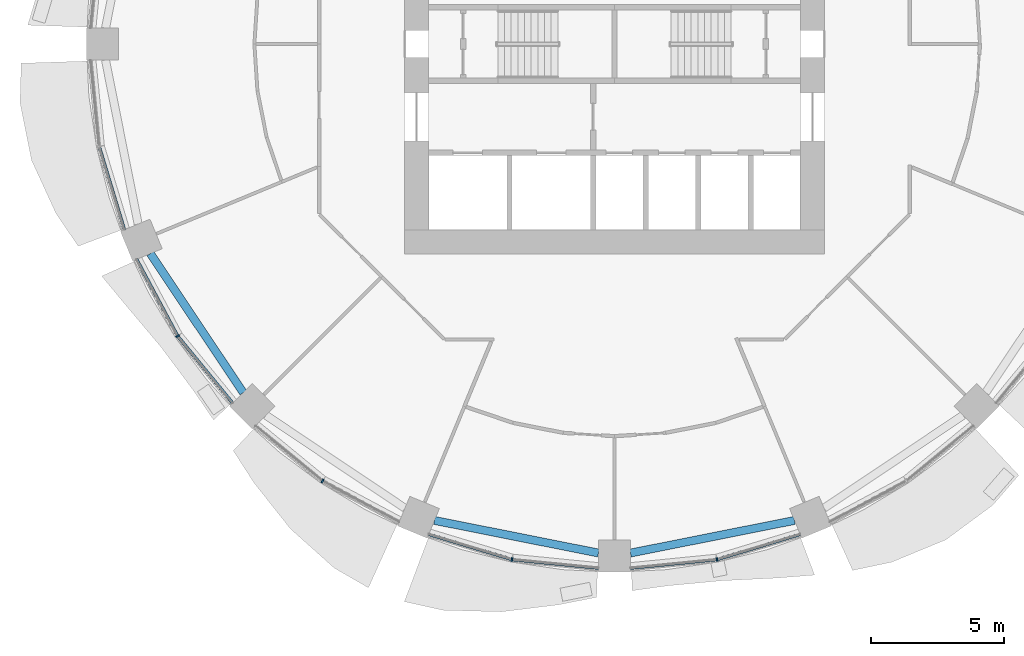
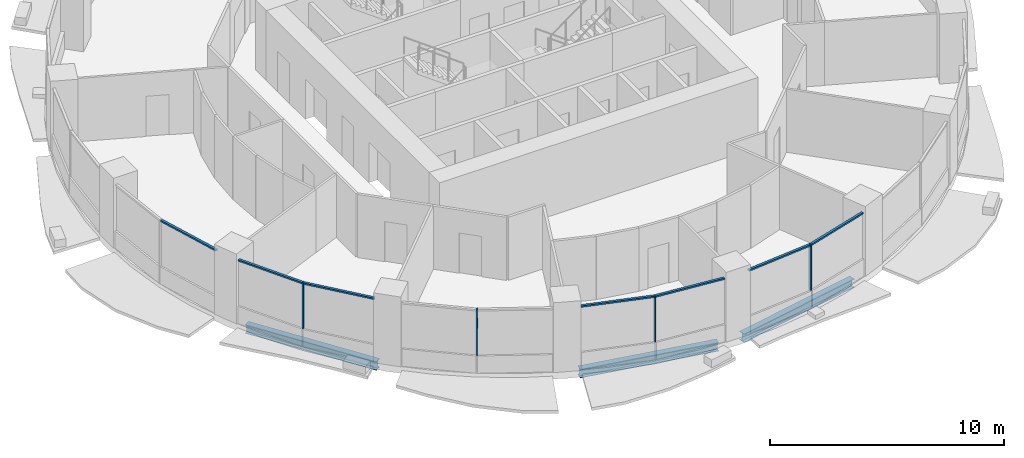
# One storey, part 2 of 15: 11 members, 3 beams, 5 elements without a shape of their own.
"""IFC4 building model written with IfcOpenShell, lengths in metres."""

import ifcopenshell
import ifcopenshell.guid

model = None  # the IFC model being written
_history = None  # IfcOwnerHistory: only IFC2X3 demands one
_inside = {}  # id of a spatial element -> (the spatial element, [elements in it])
_under = {}  # id of a project, library or spatial element -> (it, [spatial elements below it])
_declared = {}  # id of a project -> (the project, [libraries it declares])
_typed = {}  # id of a type object -> (the type object, [elements of that type])
_made_of = {}  # id of a material, layer set ... -> (it, [elements and type objects made of it])


def new_model(schema):
    """Start an empty IFC model of exactly this schema.

    Asked for "IFC4X3", IfcOpenShell would pick the latest addendum, in which some entities
    have other attributes; the version numbers below select the first issue.
    IFC2X3 requires an IfcOwnerHistory on every rooted entity: one is made here for all.
    """
    global model, _history
    if schema == "IFC4X3":
        model = ifcopenshell.file(schema_version=(4, 3, 0, 0))
    else:
        model = ifcopenshell.file(schema=schema)
    _inside.clear()
    _under.clear()
    _declared.clear()
    _typed.clear()
    _made_of.clear()
    _history = None
    if model.schema == "IFC2X3":
        org = make("IfcOrganization", Name="unknown")
        user = make(
            "IfcPersonAndOrganization",
            ThePerson=make("IfcPerson", FamilyName="unknown"),
            TheOrganization=org,
        )
        app = make(
            "IfcApplication",
            ApplicationDeveloper=org,
            Version="unknown",
            ApplicationFullName="unknown",
            ApplicationIdentifier="unknown",
        )
        _history = make(
            "IfcOwnerHistory",
            OwningUser=user,
            OwningApplication=app,
            ChangeAction="ADDED",
            CreationDate=0,
        )
    return model


def make(cls, **values):
    """One entity of the class cls with the attributes given. An attribute that is None is left unset."""
    return model.create_entity(
        cls, **{name: value for name, value in values.items() if value is not None}
    )


def rooted(cls, **values):
    """An entity with a GlobalId (a new one), such as an element, a storey or a relation."""
    return make(cls, GlobalId=ifcopenshell.guid.new(), OwnerHistory=_history, **values)


def si_unit(unit_type, name, prefix=None):
    """IfcSIUnit, for example si_unit("LENGTHUNIT", "METRE", prefix="MILLI")."""
    return make("IfcSIUnit", UnitType=unit_type, Prefix=prefix, Name=name)


def assignment(units):
    """IfcUnitAssignment: the units of a project."""
    return None if units is None else make("IfcUnitAssignment", Units=units)


def point(xyz):
    """IfcCartesianPoint."""
    return None if xyz is None else make("IfcCartesianPoint", Coordinates=xyz)


def direction(xyz):
    """IfcDirection."""
    return None if xyz is None else make("IfcDirection", DirectionRatios=xyz)


def frame(location, z_axis=None, x_axis=None):
    """IfcAxis2Placement3D, a coordinate frame: its origin and axes. An axis left out is left unset."""
    return make(
        "IfcAxis2Placement3D",
        Location=point(location),
        Axis=direction(z_axis),
        RefDirection=direction(x_axis),
    )


def frame_2d(location, x_axis=None):
    """IfcAxis2Placement2D, a coordinate frame in the plane: its origin and x axis."""
    return make(
        "IfcAxis2Placement2D", Location=point(location), RefDirection=direction(x_axis)
    )


def origin():
    """The frame at (0, 0, 0) with its axes left unset."""
    return frame((0.0, 0.0, 0.0))


def origin_2d():
    """The frame at (0, 0) in the plane with its x axis left unset."""
    return frame_2d((0.0, 0.0))


def place(relative_to, where):
    """IfcLocalPlacement: puts the frame where relative to a parent placement (None: the world)."""
    return make(
        "IfcLocalPlacement", PlacementRelTo=relative_to, RelativePlacement=where
    )


def context(
    kind, dimensions, precision=None, world=None, true_north=None, identifier=None
):
    """IfcGeometricRepresentationContext, for example the 3D "Model" context."""
    return make(
        "IfcGeometricRepresentationContext",
        ContextIdentifier=identifier,
        ContextType=kind,
        CoordinateSpaceDimension=dimensions,
        Precision=precision,
        WorldCoordinateSystem=world,
        TrueNorth=true_north,
    )


def subcontext(parent, identifier, kind, view, scale=None):
    """IfcGeometricRepresentationSubContext, for example "Body" below "Model"."""
    return make(
        "IfcGeometricRepresentationSubContext",
        ContextIdentifier=identifier,
        ContextType=kind,
        ParentContext=parent,
        TargetScale=scale,
        TargetView=view,
    )


def project(units=None, contexts=None):
    """IfcProject with its units and contexts."""
    return rooted(
        "IfcProject",
        Name="project",
        RepresentationContexts=contexts,
        UnitsInContext=assignment(units),
    )


def spatial(cls, under=None, at=None, **own):
    """A site, building, storey or space (cls), placed at a placement, below another one or the project."""
    s = rooted(cls, ObjectPlacement=at, **own)
    if under is not None:
        _under.setdefault(under.id(), (under, []))[1].append(s)
    return s


def profile(cls, at=None, kind="AREA", **sizes):
    """A parametric profile (cls). Its sizes go by their IFC names, for example OverallWidth=200.0."""
    return make(cls, ProfileType=kind, Position=at, **sizes)


def rectangle(**sizes):
    """IfcRectangleProfileDef."""
    return profile("IfcRectangleProfileDef", **sizes)


def i_section(**sizes):
    """IfcIShapeProfileDef."""
    return profile("IfcIShapeProfileDef", **sizes)


def extrude(swept, where, along, depth):
    """IfcExtrudedAreaSolid: the profile swept, set in the frame where, extruded along a direction by depth."""
    return make(
        "IfcExtrudedAreaSolid",
        SweptArea=swept,
        Position=where,
        ExtrudedDirection=direction(along),
        Depth=depth,
    )


def shape(context_of_items, identifier, shape_type, items):
    """IfcShapeRepresentation: the items that make up one representation, for example the "Body"."""
    return make(
        "IfcShapeRepresentation",
        ContextOfItems=context_of_items,
        RepresentationIdentifier=identifier,
        RepresentationType=shape_type,
        Items=items,
    )


def material(Name=None, Category=None):
    """IfcMaterial."""
    return make("IfcMaterial", Name=Name, Category=Category)


def material_profile(
    of_material, cross_section, Name=None, Category=None, Priority=None
):
    """IfcMaterialProfile: a cross section and its material."""
    return make(
        "IfcMaterialProfile",
        Name=Name,
        Material=of_material,
        Profile=cross_section,
        Priority=Priority,
        Category=Category,
    )


def profile_set(profiles, Name=None, composite=None):
    """IfcMaterialProfileSet."""
    return make(
        "IfcMaterialProfileSet",
        Name=Name,
        MaterialProfiles=profiles,
        CompositeProfile=composite,
    )


def made_of(thing, what):
    """Note that an element or type object is made of a material, layer set ...; save() writes the relation."""
    if what is not None:
        _made_of.setdefault(what.id(), (what, []))[1].append(thing)
    return thing


def type_object(cls, material=None, **own):
    """A type object (cls), such as IfcWallType, which elements share."""
    return made_of(rooted(cls, **own), material)


def element(
    cls,
    number,
    at=None,
    inside=None,
    cuts=None,
    type_object=None,
    material=None,
    context=None,
    identifier="Body",
    shape_type=None,
    held_by="IfcProductDefinitionShape",
    body=None,
    shapes=None,
    **own,
):
    """One element of the class cls, such as IfcWall. Its Tag is "e" and its number.

    at: its placement. inside: the storey or other place that contains it. cuts: it is an
    opening in that element (IfcRelVoidsElement). A single representation is given by context,
    identifier, shape_type and body (its items); several are given by shapes. held_by: the class
    of the entity that holds the representations. save() writes the other relations.
    """
    e = rooted(cls, Tag="e%d" % number, ObjectPlacement=at, **own)
    if body is not None:
        shapes = [shape(context, identifier, shape_type, body)]
    if shapes is not None:
        e.Representation = make(held_by, Representations=shapes)
    if inside is not None:
        _inside.setdefault(inside.id(), (inside, []))[1].append(e)
    if cuts is not None:
        rooted(
            "IfcRelVoidsElement", RelatingBuildingElement=cuts, RelatedOpeningElement=e
        )
    if type_object is not None:
        _typed.setdefault(type_object.id(), (type_object, []))[1].append(e)
    return made_of(e, material)


def aggregate(whole, parts):
    """IfcRelAggregates: a whole, such as a stair, and the parts it consists of."""
    return rooted("IfcRelAggregates", RelatingObject=whole, RelatedObjects=parts)


def save(model, path):
    """Write the relations noted so far, then the file.

    IfcRelAggregates (storeys below a building ...), IfcRelContainedInSpatialStructure (elements
    in a storey), IfcRelDefinesByType, IfcRelAssociatesMaterial and IfcRelDeclares: one each for
    every whole, place, type object, material and project.
    """
    for whole, parts in _under.values():
        aggregate(whole, parts)
    for where, things in _inside.values():
        rooted(
            "IfcRelContainedInSpatialStructure",
            RelatedElements=things,
            RelatingStructure=where,
        )
    for kind, things in _typed.values():
        rooted("IfcRelDefinesByType", RelatedObjects=things, RelatingType=kind)
    for what, things in _made_of.values():
        rooted("IfcRelAssociatesMaterial", RelatedObjects=things, RelatingMaterial=what)
    for by, libraries in _declared.values():
        rooted("IfcRelDeclares", RelatingContext=by, RelatedDefinitions=libraries)
    model.write(path)


model = new_model("IFC4")

# Units and contexts
model_context = context("Model", 3, precision=1e-05, world=origin(), true_north=direction((0.0, 1.0)))
body_context = subcontext(model_context, "Body", "Model", "MODEL_VIEW")
ifc_project = project(units=[si_unit("LENGTHUNIT", "METRE"), si_unit("AREAUNIT", "SQUARE_METRE"), si_unit("VOLUMEUNIT", "CUBIC_METRE"), si_unit("PLANEANGLEUNIT", "RADIAN"), si_unit("MASSUNIT", "GRAM", prefix="KILO")], contexts=[model_context])

# Site, building, storey
site_placement = place(None, origin())
site = spatial("IfcSite", under=ifc_project, at=site_placement, CompositionType="ELEMENT")
building_placement = place(site_placement, origin())
building = spatial("IfcBuilding", under=site, at=building_placement, Name="Polderwave Tower", CompositionType="ELEMENT")
storey_placement = place(building_placement, frame((0.0, 0.0, 33.5)))
storey = spatial("IfcBuildingStorey", under=building, at=storey_placement, Name="L08", CompositionType="ELEMENT", Elevation=33.5)

# Curtain wall, member
ifc_material_1 = material(Name="Aluminium 6063-T6 and glass", Category="aluminium")
curtain_wall_type = type_object("IfcCurtainWallType", Name="Growing floor ribbon glazing wall", PredefinedType="NOTDEFINED", material=ifc_material_1)
curtain_wall_1_placement = place(storey_placement, origin())
curtain_wall_1 = element("IfcCurtainWall", 1, at=curtain_wall_1_placement, inside=storey, type_object=curtain_wall_type, Name="CW2 L08 09", PredefinedType="NOTDEFINED")
ifc_material_2 = material(Name="Aluminium 6063-T6", Category="aluminium")
ifc_material_profile_1 = material_profile(ifc_material_2, rectangle(XDim=0.14990234375, YDim=0.06005859375, at=origin_2d()), Name="AL 60x150")
ifc_profile_set_1 = profile_set([ifc_material_profile_1], Name="Aluminium 6063-T6")
member_type_1 = type_object("IfcMemberType", Name="Growing floor ribbon glazing mullion 60x150", PredefinedType="MULLION", material=ifc_profile_set_1)
member_1_placement = place(storey_placement, frame((-16.3798828125, -10.945068359375, 0.89990234375), z_axis=(0.0, 0.0, 1.0), x_axis=(0.831436642637, 0.555619572441, 0.0)))
member_1 = element("IfcMember", 2, at=member_1_placement, type_object=member_type_1, Name="CW2 mullion 1", PredefinedType="MULLION", context=body_context, shape_type="SweptSolid", body=[
    extrude(rectangle(XDim=0.14990234375, YDim=0.06005859375, at=origin_2d()), origin(), (0.0, 0.0, 1.0), 2.400146484375),
])

curtain_wall_2_placement = place(storey_placement, origin())
curtain_wall_2 = element("IfcCurtainWall", 3, at=curtain_wall_2_placement, inside=storey, type_object=curtain_wall_type, Name="CW2 L08 10", PredefinedType="NOTDEFINED")
member_2_placement = place(storey_placement, frame((-10.945068359375, -16.3798828125, 0.89990234375), z_axis=(0.0, 0.0, 1.0), x_axis=(0.555619572441, 0.831436642637, 0.0)))
member_2 = element("IfcMember", 4, at=member_2_placement, type_object=member_type_1, Name="CW2 mullion 1", PredefinedType="MULLION", context=body_context, shape_type="SweptSolid", body=[
    extrude(rectangle(XDim=0.14990234375, YDim=0.06005859375, at=origin_2d()), origin(), (0.0, 0.0, 1.0), 2.400146484375),
])
aggregate(curtain_wall_2, [member_2])

curtain_wall_3_placement = place(storey_placement, origin())
curtain_wall_3 = element("IfcCurtainWall", 5, at=curtain_wall_3_placement, inside=storey, type_object=curtain_wall_type, Name="CW2 L08 11", PredefinedType="NOTDEFINED")
member_3_placement = place(storey_placement, frame((-3.843017578125, -19.321044921875, 0.89990234375), z_axis=(0.0, 0.0, 1.0), x_axis=(0.19515879327, 0.980771658139, 0.0)))
member_3 = element("IfcMember", 6, at=member_3_placement, type_object=member_type_1, Name="CW2 mullion 1", PredefinedType="MULLION", context=body_context, shape_type="SweptSolid", body=[
    extrude(rectangle(XDim=0.14990234375, YDim=0.06005859375, at=origin_2d()), origin(), (0.0, 0.0, 1.0), 2.400146484375),
])

curtain_wall_4_placement = place(storey_placement, origin())
curtain_wall_4 = element("IfcCurtainWall", 7, at=curtain_wall_4_placement, inside=storey, type_object=curtain_wall_type, Name="CW2 L08 12", PredefinedType="NOTDEFINED")
member_4_placement = place(storey_placement, frame((3.843017578125, -19.321044921875, 0.89990234375), z_axis=(0.0, 0.0, 1.0), x_axis=(-0.19515879327, 0.980771658139, 0.0)))
member_4 = element("IfcMember", 8, at=member_4_placement, type_object=member_type_1, Name="CW2 mullion 1", PredefinedType="MULLION", context=body_context, shape_type="SweptSolid", body=[
    extrude(rectangle(XDim=0.14990234375, YDim=0.06005859375, at=origin_2d()), origin(), (0.0, 0.0, 1.0), 2.400146484375),
])

curtain_wall_5_placement = place(storey_placement, origin())
curtain_wall_5 = element("IfcCurtainWall", 9, at=curtain_wall_5_placement, inside=storey, type_object=curtain_wall_type, Name="CW2 L08 08", PredefinedType="NOTDEFINED")
ifc_material_profile_2 = material_profile(ifc_material_2, rectangle(XDim=0.1201171875, YDim=0.080078125, at=origin_2d()), Name="AL 80x120")
ifc_profile_set_2 = profile_set([ifc_material_profile_2], Name="Aluminium 6063-T6")
member_type_2 = type_object("IfcMemberType", Name="Growing floor ribbon glazing transom 80x120", PredefinedType="USERDEFINED", material=ifc_profile_set_2)
member_5_placement = place(storey_placement, frame((-19.312255859375, -3.87158203125, 3.260009765625), z_axis=(0.290231901029, -0.956956343636, 0.0), x_axis=(0.956956343636, 0.290231901029, 0.0)))
member_5 = element("IfcMember", 10, at=member_5_placement, type_object=member_type_2, Name="CW2 transom 2", ObjectType="TRANSOM", PredefinedType="USERDEFINED", context=body_context, shape_type="SweptSolid", body=[
    extrude(rectangle(XDim=0.1201171875, YDim=0.080078125, at=origin_2d()), origin(), (0.0, 0.0, 1.0), 3.229248046875),
])
aggregate(curtain_wall_5, [member_5])

# Member
member_6_placement = place(storey_placement, frame((-17.916015625, -8.071044921875, 3.260009765625), z_axis=(0.471396538118, -0.88192137056, 0.0), x_axis=(0.88192137056, 0.471396538118, 0.0)))
member_6 = element("IfcMember", 11, at=member_6_placement, type_object=member_type_2, Name="CW2 transom 1", ObjectType="TRANSOM", PredefinedType="USERDEFINED", context=body_context, shape_type="SweptSolid", body=[
    extrude(rectangle(XDim=0.1201171875, YDim=0.080078125, at=origin_2d()), origin(), (0.0, 0.0, 1.0), 3.228759765625),
])

member_7_placement = place(storey_placement, frame((-16.361083984375, -10.96826171875, 3.260009765625), z_axis=(0.634537869946, -0.772891772245, 0.0), x_axis=(0.772891772245, 0.634537869946, 0.0)))
member_7 = element("IfcMember", 12, at=member_7_placement, type_object=member_type_2, Name="CW2 transom 2", ObjectType="TRANSOM", PredefinedType="USERDEFINED", context=body_context, shape_type="SweptSolid", body=[
    extrude(rectangle(XDim=0.1201171875, YDim=0.080078125, at=origin_2d()), origin(), (0.0, 0.0, 1.0), 3.229248046875),
])

aggregate(curtain_wall_1, [member_1, member_6, member_7])

member_8_placement = place(storey_placement, frame((-6.9619140625, -18.375, 3.260009765625), z_axis=(0.956956343636, -0.290231901029, 0.0), x_axis=(0.290231901029, 0.956956343636, 0.0)))
member_8 = element("IfcMember", 13, at=member_8_placement, type_object=member_type_2, Name="CW2 transom 1", ObjectType="TRANSOM", PredefinedType="USERDEFINED", context=body_context, shape_type="SweptSolid", body=[
    extrude(rectangle(XDim=0.1201171875, YDim=0.080078125, at=origin_2d()), origin(), (0.0, 0.0, 1.0), 3.229248046875),
])

member_9_placement = place(storey_placement, frame((-3.81298828125, -19.323974609375, 3.260009765625), z_axis=(0.995163657896, -0.098230820031, 0.0), x_axis=(0.098230820031, 0.995163657896, 0.0)))
member_9 = element("IfcMember", 14, at=member_9_placement, type_object=member_type_2, Name="CW2 transom 2", ObjectType="TRANSOM", PredefinedType="USERDEFINED", context=body_context, shape_type="SweptSolid", body=[
    extrude(rectangle(XDim=0.1201171875, YDim=0.080078125, at=origin_2d()), origin(), (0.0, 0.0, 1.0), 3.228515625),
])

aggregate(curtain_wall_3, [member_3, member_8, member_9])

member_10_placement = place(storey_placement, frame((0.60009765625, -19.64111328125, 3.260009765625), z_axis=(0.995163657896, 0.098230820031, 0.0), x_axis=(-0.098230820031, 0.995163657896, 0.0)))
member_10 = element("IfcMember", 15, at=member_10_placement, type_object=member_type_2, Name="CW2 transom 1", ObjectType="TRANSOM", PredefinedType="USERDEFINED", context=body_context, shape_type="SweptSolid", body=[
    extrude(rectangle(XDim=0.1201171875, YDim=0.080078125, at=origin_2d()), origin(), (0.0, 0.0, 1.0), 3.228515625),
])

member_11_placement = place(storey_placement, frame((3.87158203125, -19.312255859375, 3.260009765625), z_axis=(0.956956343636, 0.290231901029, 0.0), x_axis=(-0.290231901029, 0.956956343636, 0.0)))
member_11 = element("IfcMember", 16, at=member_11_placement, type_object=member_type_2, Name="CW2 transom 2", ObjectType="TRANSOM", PredefinedType="USERDEFINED", context=body_context, shape_type="SweptSolid", body=[
    extrude(rectangle(XDim=0.1201171875, YDim=0.080078125, at=origin_2d()), origin(), (0.0, 0.0, 1.0), 3.229248046875),
])

aggregate(curtain_wall_4, [member_4, member_10, member_11])

# Beams
ifc_material_3 = material(Name="Steel S355", Category="steel")
ifc_material_profile_3 = material_profile(ifc_material_3, i_section(OverallWidth=0.300048828125, OverallDepth=0.449951171875, WebThickness=0.013916015625, FlangeThickness=0.02587890625, at=origin_2d()), Name="HE 450 B")
ifc_profile_set_3 = profile_set([ifc_material_profile_3], Name="Steel S355")
beam_type = type_object("IfcBeamType", Name="RING BEAM HE 450 B", PredefinedType="BEAM", material=ifc_profile_set_3)
beam_placement = place(storey_placement, frame((-17.398681640625, -7.856201171875, -0.574951171875), z_axis=(0.555580751359, -0.831462584076, 0.0), x_axis=(0.831462584076, 0.555580751359, 0.0)))
element("IfcBeam", 17, at=beam_placement, inside=storey, type_object=beam_type, Name="ST-RB-L08-09", PredefinedType="BEAM", context=body_context, shape_type="SweptSolid", body=[
    extrude(i_section(OverallWidth=0.300048828125, OverallDepth=0.449951171875, WebThickness=0.013916015625, FlangeThickness=0.02587890625, at=origin_2d()), origin(), (0.0, 0.0, 1.0), 6.26806640625),
])
for number, where, z_axis, x_axis, name in (
    (18, (-6.74755859375, -17.85791015625, -0.574951171875), (0.98078985187, -0.195067338291, 0.0), (0.195067338291, 0.98078985187, 0.0), "ST-RB-L08-11"),
    (19, (0.60009765625, -19.08056640625, -0.574951171875), (0.98078985187, 0.195067338291, 0.0), (-0.195067338291, 0.98078985187, 0.0), "ST-RB-L08-12"),
):
    element("IfcBeam", number, at=place(storey_placement, frame(where, z_axis=z_axis, x_axis=x_axis)), inside=storey, type_object=beam_type, Name=name, PredefinedType="BEAM", context=body_context, shape_type="SweptSolid", body=[
        extrude(i_section(OverallWidth=0.300048828125, OverallDepth=0.449951171875, WebThickness=0.013916015625, FlangeThickness=0.02587890625, at=origin_2d()), origin(), (0.0, 0.0, 1.0), 6.267822265625),
    ])

save(model, "model.ifc")
